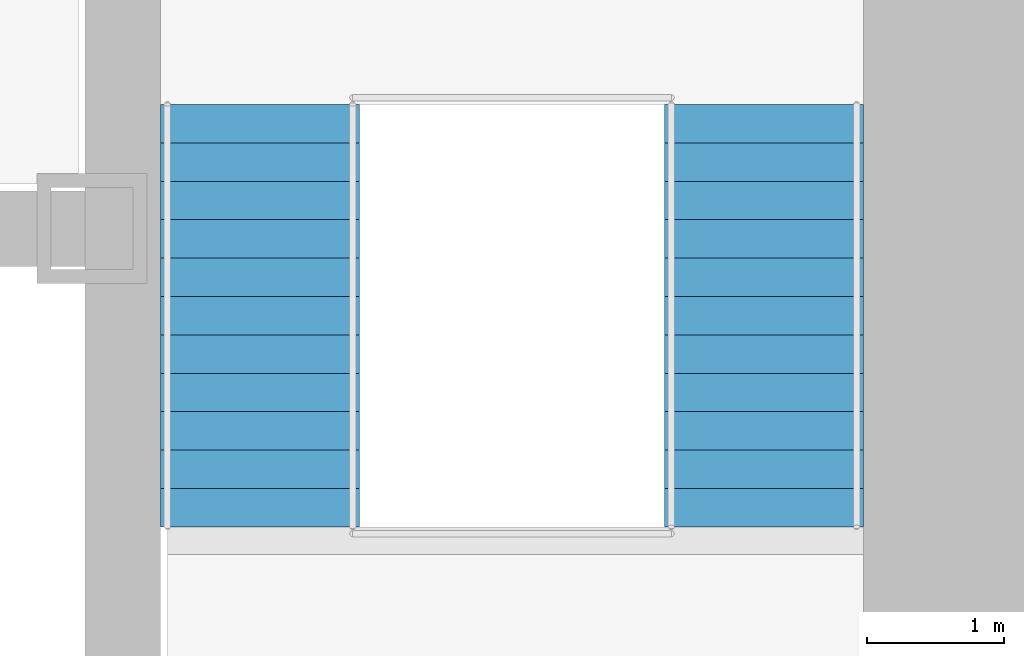
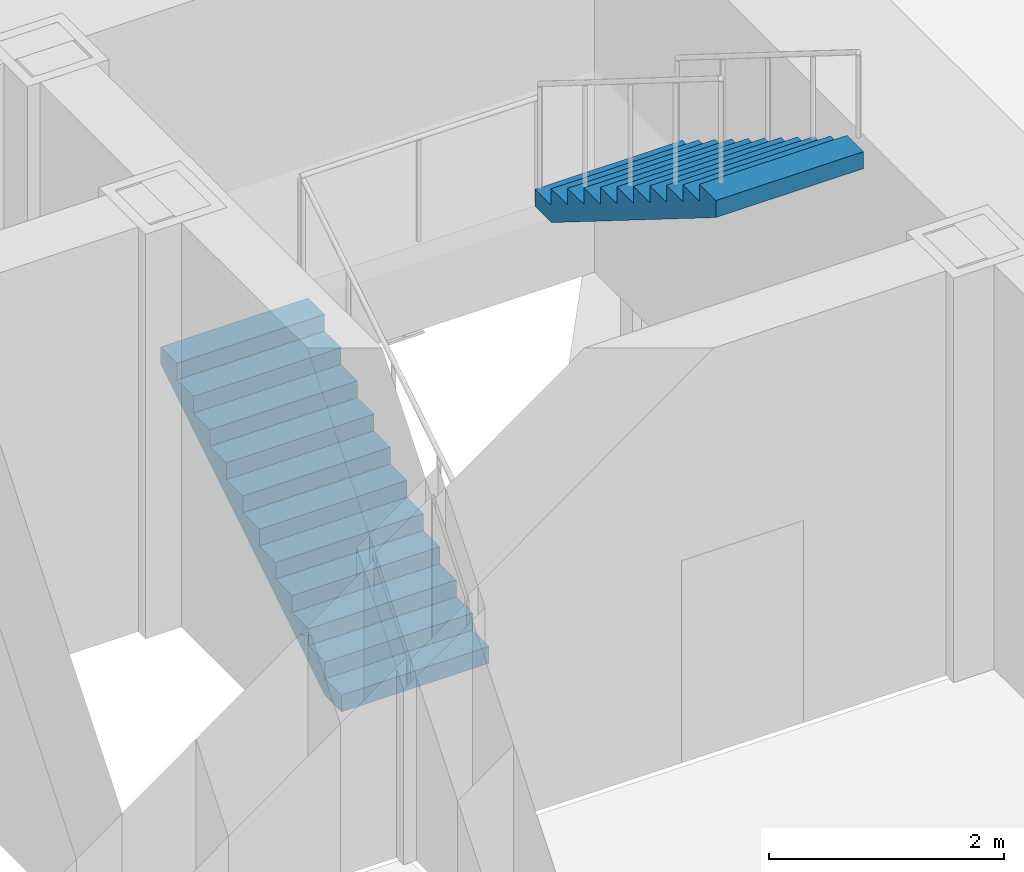
# One storey, part 11 of 13: 2 stair flights, 1 element without a shape of its own.
"""IFC4 building model written with IfcOpenShell, lengths in metres."""

from ifc_helpers import new_model, si_unit, direction, frame, origin, place, context, subcontext, project, spatial, polyline, outline, extrude, material, type_object, element, aggregate, save


model = new_model("IFC4")

# Units and contexts
model_context = context("Model", 3, precision=1e-05, world=origin(), true_north=direction((0.0, 1.0)))
body_context = subcontext(model_context, "Body", "Model", "MODEL_VIEW")
ifc_project = project(units=[si_unit("LENGTHUNIT", "METRE"), si_unit("AREAUNIT", "SQUARE_METRE"), si_unit("VOLUMEUNIT", "CUBIC_METRE"), si_unit("PLANEANGLEUNIT", "RADIAN"), si_unit("MASSUNIT", "GRAM", prefix="KILO")], contexts=[model_context])

# Site, building, storey
site_placement = place(None, origin())
site = spatial("IfcSite", under=ifc_project, at=site_placement, CompositionType="ELEMENT")
building_placement = place(site_placement, origin())
building = spatial("IfcBuilding", under=site, at=building_placement, Name="Daluyong Arena Tower", CompositionType="ELEMENT")
storey_placement = place(building_placement, frame((0.0, 0.0, 108.10009765625)))
storey = spatial("IfcBuildingStorey", under=building, at=storey_placement, Name="L23", CompositionType="ELEMENT", Elevation=108.10009765625)

# Stair, stair flights
ifc_material_1 = material(Name="Concrete fc' 35 MPa", Category="concrete")
stair_type = type_object("IfcStairType", Name="Core exit stair", PredefinedType="HALF_TURN_STAIR", material=ifc_material_1)
stair_placement = place(storey_placement, origin())
stair = element("IfcStair", 1, at=stair_placement, inside=storey, type_object=stair_type, Name="exit stair B L23", PredefinedType="HALF_TURN_STAIR")
ifc_material_2 = material(Name="Concrete fc' 35 MPa", Category="concrete")
stair_flight_type = type_object("IfcStairFlightType", Name="Core stair flight", PredefinedType="STRAIGHT", material=ifc_material_2)
stair_flight_1_placement = place(storey_placement, frame((63.0, 83.824951171875, 0.0), z_axis=(0.0, 0.0, 1.0), x_axis=(0.0, 1.0, 0.0)))
stair_flight_1 = element("IfcStairFlight", 2, at=stair_flight_1_placement, type_object=stair_flight_type, Name="STB flight 1", NumberOfRisers=12, NumberOfTreads=11, PredefinedType="STRAIGHT", RiserHeight=0.175, TreadLength=0.28, context=body_context, shape_type="SweptSolid", body=[
    extrude(outline(polyline([(0.0, 0.0), (0.0, 0.175048828125), (0.280029296875, 0.175048828125), (0.280029296875, 0.35009765625), (0.56005859375, 0.35009765625), (0.56005859375, 0.52490234375), (0.840087890625, 0.52490234375), (0.840087890625, 0.699951171875), (1.1201171875, 0.699951171875), (1.1201171875, 0.875), (1.39990234375, 0.875), (1.39990234375, 1.050048828125), (1.679931640625, 1.050048828125), (1.679931640625, 1.22509765625), (1.9599609375, 1.22509765625), (1.9599609375, 1.39990234375), (2.239990234375, 1.39990234375), (2.239990234375, 1.574951171875), (2.52001953125, 1.574951171875), (2.52001953125, 1.75), (2.800048828125, 1.75), (2.800048828125, 1.925048828125), (3.080078125, 1.925048828125), (3.080078125, 2.10009765625), (3.080078125, 1.748291015625), (0.28271484375, 0.0), (0.0, 0.0)])), frame((0.0, 0.72509765625, 0.0), z_axis=(0.0, -1.0, 0.0), x_axis=(1.0, 0.0, 0.0)), (0.0, 0.0, 1.0), 1.449951171875),
])
stair_flight_2_placement = place(storey_placement, frame((66.675048828125, 86.905029296875, 2.099853515625), z_axis=(0.0, 0.0, 1.0), x_axis=(0.0, -1.0, 0.0)))
stair_flight_2 = element("IfcStairFlight", 3, at=stair_flight_2_placement, type_object=stair_flight_type, Name="STB flight 2", NumberOfRisers=12, NumberOfTreads=11, PredefinedType="STRAIGHT", RiserHeight=0.175, TreadLength=0.28, context=body_context, shape_type="SweptSolid", body=[
    extrude(outline(polyline([(0.0, 0.0), (0.0, 0.175048828125), (0.280029296875, 0.175048828125), (0.280029296875, 0.35009765625), (0.56005859375, 0.35009765625), (0.56005859375, 0.52490234375), (0.840087890625, 0.52490234375), (0.840087890625, 0.699951171875), (1.1201171875, 0.699951171875), (1.1201171875, 0.875), (1.39990234375, 0.875), (1.39990234375, 1.050048828125), (1.679931640625, 1.050048828125), (1.679931640625, 1.22509765625), (1.9599609375, 1.22509765625), (1.9599609375, 1.39990234375), (2.239990234375, 1.39990234375), (2.239990234375, 1.574951171875), (2.52001953125, 1.574951171875), (2.52001953125, 1.75), (2.800048828125, 1.75), (2.800048828125, 1.925048828125), (3.080078125, 1.925048828125), (3.080078125, 2.10009765625), (3.080078125, 1.748291015625), (0.28271484375, 0.0), (0.0, 0.0)])), frame((0.0, 0.72509765625, 0.0), z_axis=(0.0, -1.0, 0.0), x_axis=(1.0, 0.0, 0.0)), (0.0, 0.0, 1.0), 1.449951171875),
])
aggregate(stair, [stair_flight_1, stair_flight_2])

save(model, "model.ifc")
